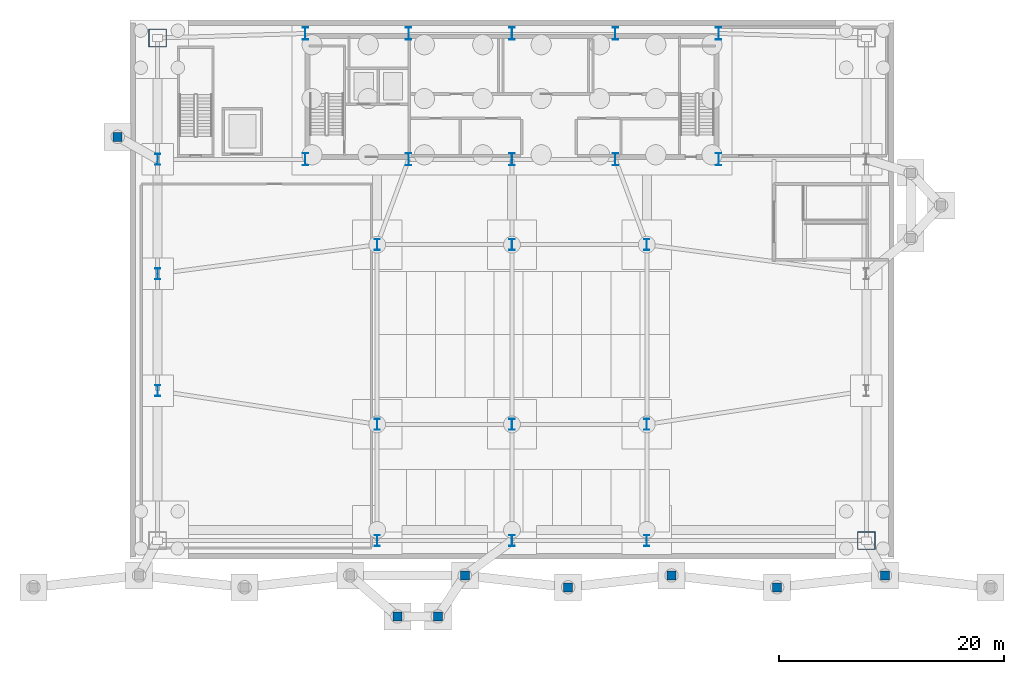
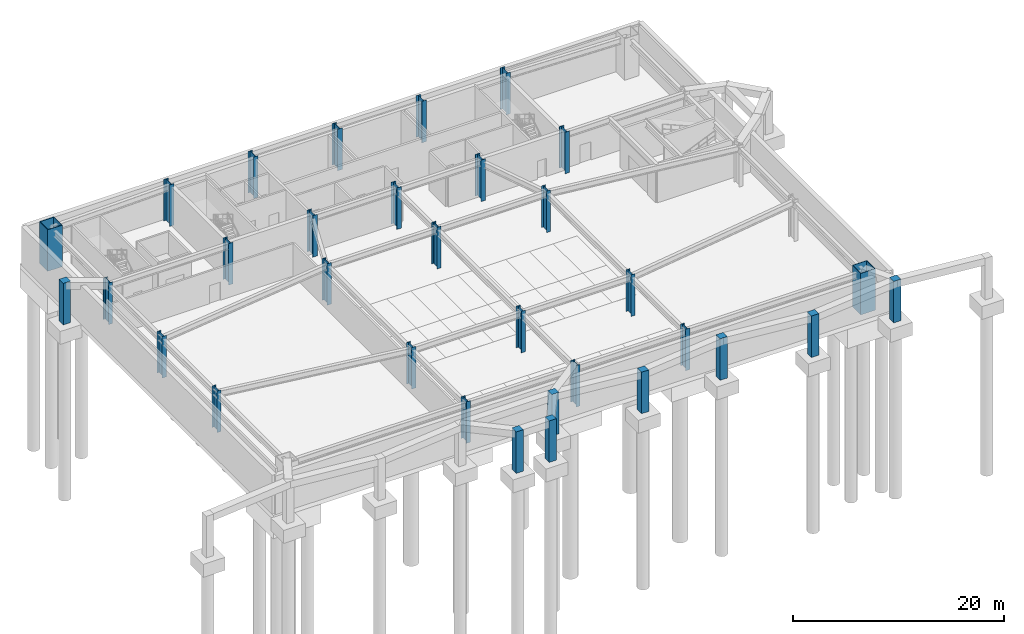
# One storey, part 3 of 12: 32 columns.
"""IFC4 building model written with IfcOpenShell, lengths in metres."""

from ifc_helpers import new_model, si_unit, direction, frame, origin, origin_2d, place, context, subcontext, project, spatial, rectangle, hollow_rectangle, i_section, extrude, source, transform, mapped, material, material_profile, profile_set, type_object, type_shapes, element, save


model = new_model("IFC4")

# Units and contexts
model_context = context("Model", 3, precision=1e-05, world=origin(), true_north=direction((0.0, 1.0)))
body_context = subcontext(model_context, "Body", "Model", "MODEL_VIEW")
ifc_project = project(units=[si_unit("LENGTHUNIT", "METRE"), si_unit("AREAUNIT", "SQUARE_METRE"), si_unit("VOLUMEUNIT", "CUBIC_METRE"), si_unit("PLANEANGLEUNIT", "RADIAN"), si_unit("MASSUNIT", "GRAM", prefix="KILO")], contexts=[model_context])

# Site, building, storey
site_placement = place(None, origin())
site = spatial("IfcSite", under=ifc_project, at=site_placement, CompositionType="ELEMENT")
building_placement = place(site_placement, origin())
building = spatial("IfcBuilding", under=site, at=building_placement, Name="Varnel Quay Broadcast Tower", CompositionType="ELEMENT")
storey_placement = place(building_placement, frame((0.0, 0.0, -9.60009765625)))
storey = spatial("IfcBuildingStorey", under=building, at=storey_placement, Name="B2", CompositionType="ELEMENT", Elevation=-9.60009765625)

# Columns
ifc_material_1 = material(Name="Concrete CSA A23.3 C50/60", Category="concrete")
ifc_material_profile_1 = material_profile(ifc_material_1, rectangle(XDim=0.800048828125, YDim=0.800048828125, at=origin_2d()), Name="RC800X800")
ifc_profile_set_1 = profile_set([ifc_material_profile_1], Name="Concrete CSA A23.3 C50/60")
column_type_1 = type_object("IfcColumnType", Name="Col_RC800X800", PredefinedType="COLUMN", material=ifc_profile_set_1)
shared_shape_1 = source(origin(), body_context, "Body", "SweptSolid", [
    extrude(rectangle(XDim=0.800048828125, YDim=0.800048828125, at=origin_2d()), origin(), (0.0, 0.0, 1.0), 4.800048828125),
])
type_shapes(column_type_1, [shared_shape_1])
for number, where, z_axis, x_axis, name in (
    (1, (29.800048828125, -1.449951171875, 0.0), (0.0, 0.0, 1.0), (1.0, 0.0, 0.0), "B2 Exterior Pier Column PRM05"),
    (2, (39.0, -2.5, 0.0), (0.0, 0.0, 1.0), (1.0, 0.0, 0.0), "B2 Exterior Pier Column PRM06"),
    (3, (48.199951171875, -1.449951171875, 0.0), (0.0, 0.0, 1.0), (1.0, 0.0, 0.0), "B2 Exterior Pier Column PRM07"),
    (4, (57.60009765625, -2.5, 0.0), (0.0, 0.0, 1.0), (1.0, 0.0, 0.0), "B2 Exterior Pier Column PRM08"),
    (5, (67.199951171875, -1.449951171875, 0.0), (0.0, 0.0, 1.0), (1.0, 0.0, 0.0), "B2 Exterior Pier Column PRM09"),
    (6, (23.800048828125, -5.10009765625, 0.0), (0.0, 0.0, 1.0), (1.0, 0.0, 0.0), "B2 Exterior Pier Column QRMP1"),
    (7, (27.39990234375, -5.10009765625, 0.0), (0.0, 0.0, 1.0), (1.0, 0.0, 0.0), "B2 Exterior Pier Column QRMP2"),
    (8, (-1.10009765625, 37.60009765625, 0.0), (0.0, 0.0, 1.0), (1.0, 0.0, 0.0), "B2 Exterior Pier Column WEXT1"),
):
    element("IfcColumn", number, at=place(storey_placement, frame(where, z_axis=z_axis, x_axis=x_axis)), inside=storey, type_object=column_type_1, Name=name, PredefinedType="COLUMN", context=body_context, shape_type="MappedRepresentation", body=[
        mapped(shared_shape_1, transform((0.0, 0.0, 0.0), x_axis=(1.0, 0.0, 0.0), y_axis=(0.0, 1.0, 0.0), z_axis=(0.0, 0.0, 1.0), scale=1.0)),
    ])
ifc_material_2 = material(Name="Structural Steel CSA G40.21 350WT", Category="steel")
ifc_material_profile_2 = material_profile(ifc_material_2, i_section(OverallWidth=0.5, OverallDepth=1.10009765625, WebThickness=0.01806640625, FlangeThickness=0.031982421875, FilletRadius=0.01806640625, at=origin_2d()), Name="WWF1100X418")
ifc_profile_set_2 = profile_set([ifc_material_profile_2], Name="Structural Steel CSA G40.21 350WT")
column_type_2 = type_object("IfcColumnType", Name="Col_WWF1100X418", PredefinedType="COLUMN", material=ifc_profile_set_2)
shared_shape_2 = source(origin(), body_context, "Body", "SweptSolid", [
    extrude(i_section(OverallWidth=0.5, OverallDepth=1.10009765625, WebThickness=0.01806640625, FlangeThickness=0.031982421875, FilletRadius=0.01806640625, at=origin_2d()), origin(), (0.0, 0.0, 1.0), 4.800048828125),
])
type_shapes(column_type_2, [shared_shape_2])
for number, where, z_axis, x_axis, name in (
    (9, (15.60009765625, 35.60009765625, 0.0), (0.0, 0.0, 1.0), (1.0, 0.0, 0.0), "B2 Column CC-S1"),
    (10, (15.60009765625, 46.800048828125, 0.0), (0.0, 0.0, 1.0), (1.0, 0.0, 0.0), "B2 Column CC-N1"),
    (11, (24.800048828125, 35.60009765625, 0.0), (0.0, 0.0, 1.0), (1.0, 0.0, 0.0), "B2 Column CC-S2"),
    (12, (24.800048828125, 46.800048828125, 0.0), (0.0, 0.0, 1.0), (1.0, 0.0, 0.0), "B2 Column CC-N2"),
    (13, (34.0, 35.60009765625, 0.0), (0.0, 0.0, 1.0), (1.0, 0.0, 0.0), "B2 Column CC-S3"),
    (14, (34.0, 46.800048828125, 0.0), (0.0, 0.0, 1.0), (1.0, 0.0, 0.0), "B2 Column CC-N3"),
    (15, (43.199951171875, 35.60009765625, 0.0), (0.0, 0.0, 1.0), (1.0, 0.0, 0.0), "B2 Column CC-S4"),
    (16, (43.199951171875, 46.800048828125, 0.0), (0.0, 0.0, 1.0), (1.0, 0.0, 0.0), "B2 Column CC-N4"),
    (17, (52.39990234375, 35.60009765625, 0.0), (0.0, 0.0, 1.0), (1.0, 0.0, 0.0), "B2 Column CC-S5"),
    (18, (52.39990234375, 46.800048828125, 0.0), (0.0, 0.0, 1.0), (1.0, 0.0, 0.0), "B2 Column CC-N5"),
):
    element("IfcColumn", number, at=place(storey_placement, frame(where, z_axis=z_axis, x_axis=x_axis)), inside=storey, type_object=column_type_2, Name=name, PredefinedType="COLUMN", context=body_context, shape_type="MappedRepresentation", body=[
        mapped(shared_shape_2, transform((0.0, 0.0, 0.0), x_axis=(1.0, 0.0, 0.0), y_axis=(0.0, 1.0, 0.0), z_axis=(0.0, 0.0, 1.0), scale=1.0)),
    ])
ifc_material_profile_3 = material_profile(ifc_material_2, hollow_rectangle(XDim=1.60009765625, YDim=1.60009765625, WallThickness=0.06005859375, at=origin_2d()), Name="BOX1600X1600X60")
ifc_profile_set_3 = profile_set([ifc_material_profile_3], Name="Structural Steel CSA G40.21 350WT")
column_type_3 = type_object("IfcColumnType", Name="Col_BOX1600X1600X60", PredefinedType="COLUMN", material=ifc_profile_set_3)
shared_shape_3 = source(origin(), body_context, "Body", "SweptSolid", [
    extrude(hollow_rectangle(XDim=1.60009765625, YDim=1.60009765625, WallThickness=0.06005859375, at=origin_2d()), origin(), (0.0, 0.0, 1.0), 4.800048828125),
])
type_shapes(column_type_3, [shared_shape_3])
for number, where, z_axis, x_axis, name in (
    (19, (65.550048828125, 1.64990234375, 0.0), (0.0, 0.0, 1.0), (1.0, 0.0, 0.0), "B2 Column MC-SE"),
    (20, (2.449951171875, 46.39990234375, 0.0), (0.0, 0.0, 1.0), (1.0, 0.0, 0.0), "B2 Column MC-NW"),
):
    element("IfcColumn", number, at=place(storey_placement, frame(where, z_axis=z_axis, x_axis=x_axis)), inside=storey, type_object=column_type_3, Name=name, PredefinedType="COLUMN", context=body_context, shape_type="MappedRepresentation", body=[
        mapped(shared_shape_3, transform((0.0, 0.0, 0.0), x_axis=(1.0, 0.0, 0.0), y_axis=(0.0, 1.0, 0.0), z_axis=(0.0, 0.0, 1.0), scale=1.0)),
    ])
ifc_material_profile_4 = material_profile(ifc_material_2, i_section(OverallWidth=0.449951171875, OverallDepth=1.0, WebThickness=0.01611328125, FlangeThickness=0.030029296875, FilletRadius=0.01611328125, at=origin_2d()), Name="WWF1000X362")
ifc_profile_set_4 = profile_set([ifc_material_profile_4], Name="Structural Steel CSA G40.21 350WT")
column_type_4 = type_object("IfcColumnType", Name="Col_WWF1000X362", PredefinedType="COLUMN", material=ifc_profile_set_4)
shared_shape_4 = source(origin(), body_context, "Body", "SweptSolid", [
    extrude(i_section(OverallWidth=0.449951171875, OverallDepth=1.0, WebThickness=0.01611328125, FlangeThickness=0.030029296875, FilletRadius=0.01611328125, at=origin_2d()), origin(), (0.0, 0.0, 1.0), 4.800048828125),
])
type_shapes(column_type_4, [shared_shape_4])
for number, where, z_axis, x_axis, name in (
    (21, (22.0, 1.64990234375, 0.0), (0.0, 0.0, 1.0), (1.0, 0.0, 0.0), "B2 Column PC-01"),
    (22, (34.0, 1.64990234375, 0.0), (0.0, 0.0, 1.0), (1.0, 0.0, 0.0), "B2 Column PC-02"),
    (23, (46.0, 1.64990234375, 0.0), (0.0, 0.0, 1.0), (1.0, 0.0, 0.0), "B2 Column PC-03"),
    (24, (22.0, 12.0, 0.0), (0.0, 0.0, 1.0), (1.0, 0.0, 0.0), "B2 Column PC-04"),
    (25, (34.0, 12.0, 0.0), (0.0, 0.0, 1.0), (1.0, 0.0, 0.0), "B2 Column PC-04B"),
    (26, (46.0, 12.0, 0.0), (0.0, 0.0, 1.0), (1.0, 0.0, 0.0), "B2 Column PC-05"),
    (27, (22.0, 28.0, 0.0), (0.0, 0.0, 1.0), (1.0, 0.0, 0.0), "B2 Column PC-06"),
    (28, (34.0, 28.0, 0.0), (0.0, 0.0, 1.0), (1.0, 0.0, 0.0), "B2 Column PC-07"),
    (29, (46.0, 28.0, 0.0), (0.0, 0.0, 1.0), (1.0, 0.0, 0.0), "B2 Column PC-08"),
    (30, (2.449951171875, 15.0, 0.0), (0.0, 0.0, 1.0), (1.0, 0.0, 0.0), "B2 Column PC-09"),
    (31, (2.449951171875, 25.39990234375, 0.0), (0.0, 0.0, 1.0), (1.0, 0.0, 0.0), "B2 Column PC-10"),
    (32, (2.449951171875, 35.60009765625, 0.0), (0.0, 0.0, 1.0), (1.0, 0.0, 0.0), "B2 Column PC-11"),
):
    element("IfcColumn", number, at=place(storey_placement, frame(where, z_axis=z_axis, x_axis=x_axis)), inside=storey, type_object=column_type_4, Name=name, PredefinedType="COLUMN", context=body_context, shape_type="MappedRepresentation", body=[
        mapped(shared_shape_4, transform((0.0, 0.0, 0.0), x_axis=(1.0, 0.0, 0.0), y_axis=(0.0, 1.0, 0.0), z_axis=(0.0, 0.0, 1.0), scale=1.0)),
    ])

save(model, "model.ifc")
